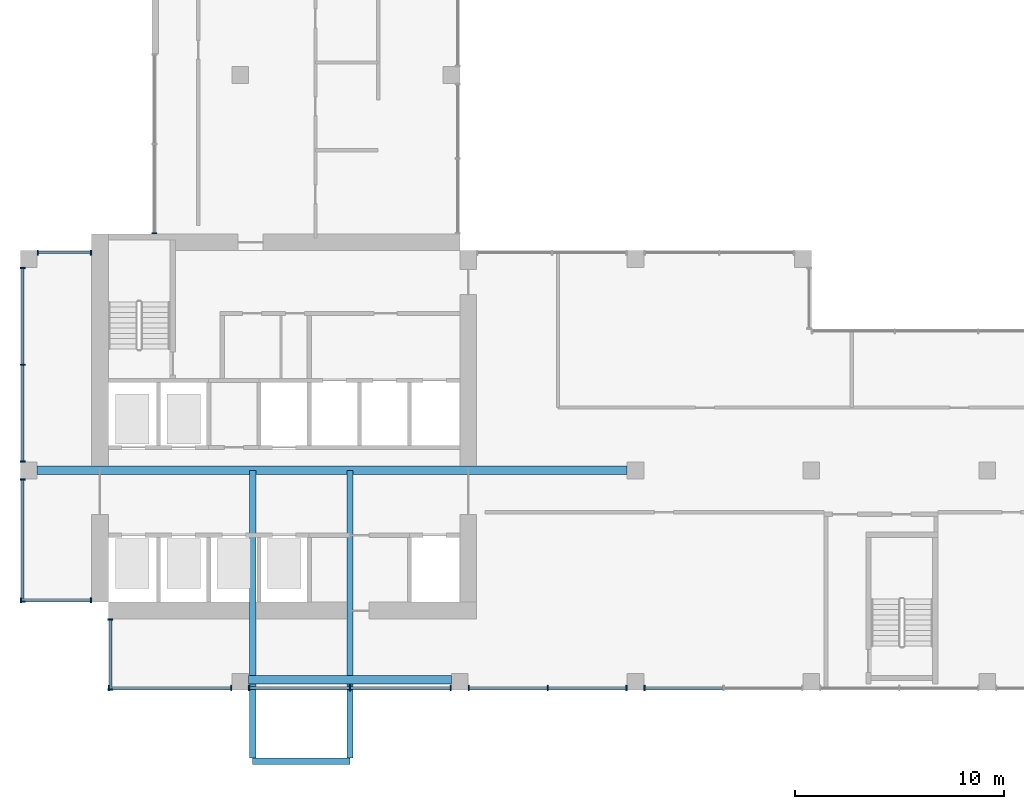
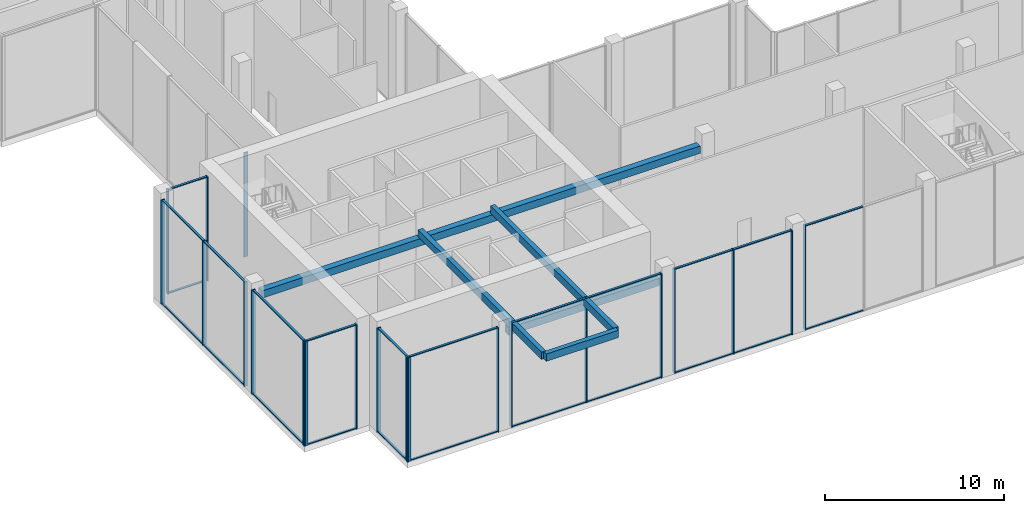
# One storey, part 2 of 13: 45 members, 5 beams, 10 elements without a shape of their own.
"""IFC4 building model written with IfcOpenShell, lengths in metres."""

from ifc_helpers import new_model, si_unit, direction, frame, origin, origin_2d, place, context, subcontext, project, spatial, rectangle, extrude, source, transform, mapped, material, layer, layer_set, material_profile, profile_set, type_object, element, aggregate, save


model = new_model("IFC4")

# Units and contexts
model_context = context("Model", 3, precision=1e-05, world=origin(), true_north=direction((0.0, 1.0)))
body_context = subcontext(model_context, "Body", "Model", "MODEL_VIEW")
ifc_project = project(units=[si_unit("LENGTHUNIT", "METRE"), si_unit("AREAUNIT", "SQUARE_METRE"), si_unit("VOLUMEUNIT", "CUBIC_METRE"), si_unit("PLANEANGLEUNIT", "RADIAN"), si_unit("MASSUNIT", "GRAM", prefix="KILO")], contexts=[model_context])

# Site, building, storey
site_placement = place(None, origin())
site = spatial("IfcSite", under=ifc_project, at=site_placement, CompositionType="ELEMENT")
building_placement = place(site_placement, origin())
building = spatial("IfcBuilding", under=site, at=building_placement, Name="Aurelian Terraces", CompositionType="ELEMENT")
storey_placement = place(building_placement, frame((0.0, 0.0, 277.0)))
storey = spatial("IfcBuildingStorey", under=building, at=storey_placement, Name="L63", CompositionType="ELEMENT", Elevation=277.0)

# Curtain wall, member
ifc_material_1 = material(Name="Anodised aluminium and clear glazing", Category="aluminium")
ifc_layer = layer(ifc_material_1, 0.2)
ifc_layer_set = layer_set([ifc_layer], Name="Lobby glazing curtain wall")
curtain_wall_type = type_object("IfcCurtainWallType", Name="Lobby glazing curtain wall", PredefinedType="NOTDEFINED", material=ifc_layer_set)
curtain_wall_1_placement = place(storey_placement, origin())
curtain_wall_1 = element("IfcCurtainWall", 1, at=curtain_wall_1_placement, inside=storey, type_object=curtain_wall_type, Name="Lobby glazing L63 F01.1", PredefinedType="NOTDEFINED")
ifc_material_2 = material(Name="Anodised aluminium", Category="aluminium")
ifc_material_profile_1 = material_profile(ifc_material_2, rectangle(XDim=0.14, YDim=0.06, at=origin_2d()))
ifc_profile_set_1 = profile_set([ifc_material_profile_1], Name="Anodised aluminium")
member_type_1 = type_object("IfcMemberType", Name="Lobby glazing transom", PredefinedType="USERDEFINED", material=ifc_profile_set_1)
member_1_placement = place(storey_placement, frame((4.26, 0.1, 0.03), z_axis=(1.0, 0.0, 0.0), x_axis=(0.0, 1.0, 0.0)))
member_1 = element("IfcMember", 2, at=member_1_placement, type_object=member_type_1, Name="CW2 transom 1.1", ObjectType="TRANSOM", PredefinedType="USERDEFINED", context=body_context, shape_type="SweptSolid", body=[
    extrude(rectangle(XDim=0.14, YDim=0.06, at=origin_2d()), origin(), (0.0, 0.0, 1.0), 5.78),
])

curtain_wall_2_placement = place(storey_placement, origin())
curtain_wall_2 = element("IfcCurtainWall", 3, at=curtain_wall_2_placement, inside=storey, type_object=curtain_wall_type, Name="Lobby glazing L63 F01.2", PredefinedType="NOTDEFINED")
member_2_placement = place(storey_placement, frame((10.96, 0.1, 0.03), z_axis=(1.0, 0.0, 0.0), x_axis=(0.0, 1.0, 0.0)))
member_2 = element("IfcMember", 4, at=member_2_placement, type_object=member_type_1, Name="CW2 transom 1.1", ObjectType="TRANSOM", PredefinedType="USERDEFINED", context=body_context, shape_type="SweptSolid", body=[
    extrude(rectangle(XDim=0.14, YDim=0.06, at=origin_2d()), origin(), (0.0, 0.0, 1.0), 4.76),
])

curtain_wall_3_placement = place(storey_placement, origin())
curtain_wall_3 = element("IfcCurtainWall", 5, at=curtain_wall_3_placement, inside=storey, type_object=curtain_wall_type, Name="Lobby glazing L63 F01.3", PredefinedType="NOTDEFINED")
member_3_placement = place(storey_placement, frame((21.46, 0.1, 0.03), z_axis=(1.0, 0.0, 0.0), x_axis=(0.0, 1.0, 0.0)))
member_3 = element("IfcMember", 6, at=member_3_placement, type_object=member_type_1, Name="CW2 transom 1.1", ObjectType="TRANSOM", PredefinedType="USERDEFINED", context=body_context, shape_type="SweptSolid", body=[
    extrude(rectangle(XDim=0.14, YDim=0.06, at=origin_2d()), origin(), (0.0, 0.0, 1.0), 3.71),
])

curtain_wall_4_placement = place(storey_placement, origin())
curtain_wall_4 = element("IfcCurtainWall", 7, at=curtain_wall_4_placement, inside=storey, type_object=curtain_wall_type, Name="Lobby glazing L63 F19.1", PredefinedType="NOTDEFINED")
member_4_placement = place(storey_placement, frame((3.34, 20.9, 0.03), z_axis=(-1.0, 0.0, 0.0), x_axis=(0.0, -1.0, 0.0)))
member_4 = element("IfcMember", 8, at=member_4_placement, type_object=member_type_1, Name="CW2 transom 1.1", ObjectType="TRANSOM", PredefinedType="USERDEFINED", context=body_context, shape_type="SweptSolid", body=[
    extrude(rectangle(XDim=0.14, YDim=0.06, at=origin_2d()), origin(), (0.0, 0.0, 1.0), 2.48),
])

curtain_wall_5_placement = place(storey_placement, origin())
curtain_wall_5 = element("IfcCurtainWall", 9, at=curtain_wall_5_placement, inside=storey, type_object=curtain_wall_type, Name="Lobby glazing L63 F20.1", PredefinedType="NOTDEFINED")
member_5_placement = place(storey_placement, frame((0.1, 20.14, 0.03), z_axis=(0.0, -1.0, 0.0), x_axis=(1.0, 0.0, 0.0)))
member_5 = element("IfcMember", 10, at=member_5_placement, type_object=member_type_1, Name="CW2 transom 1.1", ObjectType="TRANSOM", PredefinedType="USERDEFINED", context=body_context, shape_type="SweptSolid", body=[
    extrude(rectangle(XDim=0.14, YDim=0.06, at=origin_2d()), origin(), (0.0, 0.0, 1.0), 4.56),
])

curtain_wall_6_placement = place(storey_placement, origin())
curtain_wall_6 = element("IfcCurtainWall", 11, at=curtain_wall_6_placement, inside=storey, type_object=curtain_wall_type, Name="Lobby glazing L63 F21.1", PredefinedType="NOTDEFINED")
member_6_placement = place(storey_placement, frame((0.06, 4.3, 0.03), z_axis=(1.0, 0.0, 0.0), x_axis=(0.0, 1.0, 0.0)))
member_6 = element("IfcMember", 12, at=member_6_placement, type_object=member_type_1, Name="CW2 transom 1.1", ObjectType="TRANSOM", PredefinedType="USERDEFINED", context=body_context, shape_type="SweptSolid", body=[
    extrude(rectangle(XDim=0.14, YDim=0.06, at=origin_2d()), origin(), (0.0, 0.0, 1.0), 3.28),
])

# Beams
ifc_material_3 = material(Name="Concrete fc' 40 MPa", Category="concrete")
ifc_material_profile_2 = material_profile(ifc_material_3, rectangle(XDim=0.3, YDim=0.5, at=origin_2d()))
ifc_profile_set_2 = profile_set([ifc_material_profile_2], Name="Concrete fc' 40 MPa")
beam_type_1 = type_object("IfcBeamType", Name="CONCRETE CANTILEVER BEAM 300X500", PredefinedType="BEAM", material=ifc_profile_set_2)
shared_shape_1 = source(origin(), body_context, "Body", "SweptSolid", [
    extrude(rectangle(XDim=0.3, YDim=0.5, at=origin_2d()), origin(), (0.0, 0.0, 1.0), 13.75),
])
for number, where, z_axis, x_axis, name in (
    (13, (11.1, -3.25, 6.85), (0.0, 1.0, 0.0), (-1.0, 0.0, 0.0), "Box cantilever beam J88.1"),
    (14, (15.75, -3.25, 6.85), (0.0, 1.0, 0.0), (-1.0, 0.0, 0.0), "Box cantilever beam J88.2"),
):
    element("IfcBeam", number, at=place(storey_placement, frame(where, z_axis=z_axis, x_axis=x_axis)), inside=storey, type_object=beam_type_1, Name=name, PredefinedType="BEAM", context=body_context, shape_type="MappedRepresentation", body=[
        mapped(shared_shape_1, transform((0.0, 0.0, 0.0), scale=1.0)),
    ])
ifc_material_profile_3 = material_profile(ifc_material_3, rectangle(XDim=0.4, YDim=0.5, at=origin_2d()))
ifc_profile_set_3 = profile_set([ifc_material_profile_3], Name="Concrete fc' 40 MPa")
beam_type_2 = type_object("IfcBeamType", Name="CONCRETE EDGE GIRDER 400X500", PredefinedType="BEAM", material=ifc_profile_set_3)
shared_shape_2 = source(origin(), body_context, "Body", "SweptSolid", [
    extrude(rectangle(XDim=0.4, YDim=0.5, at=origin_2d()), origin(), (0.0, 0.0, 1.0), 9.7),
])
beam_1_placement = place(storey_placement, frame((10.9, 0.5, 6.35), z_axis=(1.0, 0.0, 0.0), x_axis=(0.0, 1.0, 0.0)))
element("IfcBeam", 15, at=beam_1_placement, inside=storey, type_object=beam_type_2, Name="Box girder L63 O171", PredefinedType="BEAM", context=body_context, shape_type="MappedRepresentation", body=[
    mapped(shared_shape_2, transform((0.0, 0.0, 0.0), scale=1.0)),
])
shared_shape_3 = source(origin(), body_context, "Body", "SweptSolid", [
    extrude(rectangle(XDim=0.4, YDim=0.5, at=origin_2d()), origin(), (0.0, 0.0, 1.0), 28.2),
])
beam_2_placement = place(storey_placement, frame((0.8, 10.5, 6.35), z_axis=(1.0, 0.0, 0.0), x_axis=(0.0, 1.0, 0.0)))
element("IfcBeam", 16, at=beam_2_placement, inside=storey, type_object=beam_type_2, Name="Box girder L63 I172", PredefinedType="BEAM", context=body_context, shape_type="MappedRepresentation", body=[
    mapped(shared_shape_3, transform((0.0, 0.0, 0.0), scale=1.0)),
])
shared_shape_4 = source(origin(), body_context, "Body", "SweptSolid", [
    extrude(rectangle(XDim=0.3, YDim=0.5, at=origin_2d()), origin(), (0.0, 0.0, 1.0), 4.65),
])
beam_3_placement = place(storey_placement, frame((11.1, -3.4, 6.85), z_axis=(1.0, 0.0, 0.0), x_axis=(0.0, 1.0, 0.0)))
element("IfcBeam", 17, at=beam_3_placement, inside=storey, type_object=beam_type_1, Name="Box tip beam J88", PredefinedType="BEAM", context=body_context, shape_type="MappedRepresentation", body=[
    mapped(shared_shape_4, transform((0.0, 0.0, 0.0), scale=1.0)),
])

# Member
ifc_material_profile_4 = material_profile(ifc_material_2, rectangle(XDim=0.24, YDim=0.06, at=origin_2d()))
ifc_profile_set_4 = profile_set([ifc_material_profile_4], Name="Anodised aluminium")
member_type_2 = type_object("IfcMemberType", Name="Lobby glazing mullion", PredefinedType="MULLION", material=ifc_profile_set_4)
shared_shape_5 = source(origin(), body_context, "Body", "SweptSolid", [
    extrude(rectangle(XDim=0.24, YDim=0.06, at=origin_2d()), origin(), (0.0, 0.0, 1.0), 7.1),
])
member_7_placement = place(storey_placement, frame((4.23, 0.1, 0.0), z_axis=(0.0, 0.0, 1.0), x_axis=(0.0, 1.0, 0.0)))
member_7 = element("IfcMember", 18, at=member_7_placement, type_object=member_type_2, Name="CW2 mullion 1", PredefinedType="MULLION", context=body_context, shape_type="MappedRepresentation", body=[
    mapped(shared_shape_5, transform((0.0, 0.0, 0.0), scale=1.0)),
])

member_8_placement = place(storey_placement, frame((10.07, 0.1, 0.0), z_axis=(0.0, 0.0, 1.0), x_axis=(0.0, 1.0, 0.0)))
member_8 = element("IfcMember", 19, at=member_8_placement, type_object=member_type_2, Name="CW2 mullion 2", PredefinedType="MULLION", context=body_context, shape_type="MappedRepresentation", body=[
    mapped(shared_shape_5, transform((0.0, 0.0, 0.0), scale=1.0)),
])

member_9_placement = place(storey_placement, frame((10.93, 0.1, 0.0), z_axis=(0.0, 0.0, 1.0), x_axis=(0.0, 1.0, 0.0)))
member_9 = element("IfcMember", 20, at=member_9_placement, type_object=member_type_2, Name="CW2 mullion 1", PredefinedType="MULLION", context=body_context, shape_type="MappedRepresentation", body=[
    mapped(shared_shape_5, transform((0.0, 0.0, 0.0), scale=1.0)),
])

member_10_placement = place(storey_placement, frame((15.75, 0.1, 0.0), z_axis=(0.0, 0.0, 1.0), x_axis=(0.0, 1.0, 0.0)))
member_10 = element("IfcMember", 21, at=member_10_placement, type_object=member_type_2, Name="CW2 mullion 2", PredefinedType="MULLION", context=body_context, shape_type="MappedRepresentation", body=[
    mapped(shared_shape_5, transform((0.0, 0.0, 0.0), scale=1.0)),
])

member_11_placement = place(storey_placement, frame((20.57, 0.1, 0.0), z_axis=(0.0, 0.0, 1.0), x_axis=(0.0, 1.0, 0.0)))
member_11 = element("IfcMember", 22, at=member_11_placement, type_object=member_type_2, Name="CW2 mullion 3", PredefinedType="MULLION", context=body_context, shape_type="MappedRepresentation", body=[
    mapped(shared_shape_5, transform((0.0, 0.0, 0.0), scale=1.0)),
])

member_12_placement = place(storey_placement, frame((21.43, 0.1, 0.0), z_axis=(0.0, 0.0, 1.0), x_axis=(0.0, 1.0, 0.0)))
member_12 = element("IfcMember", 23, at=member_12_placement, type_object=member_type_2, Name="CW2 mullion 1", PredefinedType="MULLION", context=body_context, shape_type="MappedRepresentation", body=[
    mapped(shared_shape_5, transform((0.0, 0.0, 0.0), scale=1.0)),
])

member_13_placement = place(storey_placement, frame((25.2, 0.1, 0.0), z_axis=(0.0, 0.0, 1.0), x_axis=(0.0, 1.0, 0.0)))
member_13 = element("IfcMember", 24, at=member_13_placement, type_object=member_type_2, Name="CW2 mullion 2", PredefinedType="MULLION", context=body_context, shape_type="MappedRepresentation", body=[
    mapped(shared_shape_5, transform((0.0, 0.0, 0.0), scale=1.0)),
])

member_14_placement = place(storey_placement, frame((28.97, 0.1, 0.0), z_axis=(0.0, 0.0, 1.0), x_axis=(0.0, 1.0, 0.0)))
member_14 = element("IfcMember", 25, at=member_14_placement, type_object=member_type_2, Name="CW2 mullion 3", PredefinedType="MULLION", context=body_context, shape_type="MappedRepresentation", body=[
    mapped(shared_shape_5, transform((0.0, 0.0, 0.0), scale=1.0)),
])

# Curtain wall, member
curtain_wall_7_placement = place(storey_placement, origin())
curtain_wall_7 = element("IfcCurtainWall", 26, at=curtain_wall_7_placement, inside=storey, type_object=curtain_wall_type, Name="Lobby glazing L63 F01.4", PredefinedType="NOTDEFINED")
member_15_placement = place(storey_placement, frame((29.83, 0.1, 0.0), z_axis=(0.0, 0.0, 1.0), x_axis=(0.0, 1.0, 0.0)))
member_15 = element("IfcMember", 27, at=member_15_placement, type_object=member_type_2, Name="CW2 mullion 1", PredefinedType="MULLION", context=body_context, shape_type="MappedRepresentation", body=[
    mapped(shared_shape_5, transform((0.0, 0.0, 0.0), scale=1.0)),
])

curtain_wall_8_placement = place(storey_placement, origin())
curtain_wall_8 = element("IfcCurtainWall", 28, at=curtain_wall_8_placement, inside=storey, type_object=curtain_wall_type, Name="Lobby glazing L63 F16.3", PredefinedType="NOTDEFINED")
member_16_placement = place(storey_placement, frame((6.4, 21.83, 0.0), z_axis=(0.0, 0.0, 1.0), x_axis=(1.0, 0.0, 0.0)))
member_16 = element("IfcMember", 29, at=member_16_placement, type_object=member_type_2, Name="CW2 mullion 3", PredefinedType="MULLION", context=body_context, shape_type="MappedRepresentation", body=[
    mapped(shared_shape_5, transform((0.0, 0.0, 0.0), scale=1.0)),
])
aggregate(curtain_wall_8, [member_16])

# Member
member_17_placement = place(storey_placement, frame((3.37, 20.9, 0.0), z_axis=(0.0, 0.0, 1.0), x_axis=(0.0, -1.0, 0.0)))
member_17 = element("IfcMember", 30, at=member_17_placement, type_object=member_type_2, Name="CW2 mullion 1", PredefinedType="MULLION", context=body_context, shape_type="MappedRepresentation", body=[
    mapped(shared_shape_5, transform((0.0, 0.0, 0.0), scale=1.0)),
])

member_18_placement = place(storey_placement, frame((0.83, 20.9, 0.0), z_axis=(0.0, 0.0, 1.0), x_axis=(0.0, -1.0, 0.0)))
member_18 = element("IfcMember", 31, at=member_18_placement, type_object=member_type_2, Name="CW2 mullion 2", PredefinedType="MULLION", context=body_context, shape_type="MappedRepresentation", body=[
    mapped(shared_shape_5, transform((0.0, 0.0, 0.0), scale=1.0)),
])

member_19_placement = place(storey_placement, frame((0.1, 20.17, 0.0), z_axis=(0.0, 0.0, 1.0), x_axis=(1.0, 0.0, 0.0)))
member_19 = element("IfcMember", 32, at=member_19_placement, type_object=member_type_2, Name="CW2 mullion 1", PredefinedType="MULLION", context=body_context, shape_type="MappedRepresentation", body=[
    mapped(shared_shape_5, transform((0.0, 0.0, 0.0), scale=1.0)),
])

member_20_placement = place(storey_placement, frame((0.1, 15.55, 0.0), z_axis=(0.0, 0.0, 1.0), x_axis=(1.0, 0.0, 0.0)))
member_20 = element("IfcMember", 33, at=member_20_placement, type_object=member_type_2, Name="CW2 mullion 2", PredefinedType="MULLION", context=body_context, shape_type="MappedRepresentation", body=[
    mapped(shared_shape_5, transform((0.0, 0.0, 0.0), scale=1.0)),
])

member_21_placement = place(storey_placement, frame((0.1, 10.93, 0.0), z_axis=(0.0, 0.0, 1.0), x_axis=(1.0, 0.0, 0.0)))
member_21 = element("IfcMember", 34, at=member_21_placement, type_object=member_type_2, Name="CW2 mullion 3", PredefinedType="MULLION", context=body_context, shape_type="MappedRepresentation", body=[
    mapped(shared_shape_5, transform((0.0, 0.0, 0.0), scale=1.0)),
])

# Curtain wall, members
curtain_wall_9_placement = place(storey_placement, origin())
curtain_wall_9 = element("IfcCurtainWall", 35, at=curtain_wall_9_placement, inside=storey, type_object=curtain_wall_type, Name="Lobby glazing L63 F20.2", PredefinedType="NOTDEFINED")
member_22_placement = place(storey_placement, frame((0.1, 10.07, 0.0), z_axis=(0.0, 0.0, 1.0), x_axis=(1.0, 0.0, 0.0)))
member_22 = element("IfcMember", 36, at=member_22_placement, type_object=member_type_2, Name="CW2 mullion 1", PredefinedType="MULLION", context=body_context, shape_type="MappedRepresentation", body=[
    mapped(shared_shape_5, transform((0.0, 0.0, 0.0), scale=1.0)),
])
member_23_placement = place(storey_placement, frame((0.1, 4.23, 0.0), z_axis=(0.0, 0.0, 1.0), x_axis=(1.0, 0.0, 0.0)))
member_23 = element("IfcMember", 37, at=member_23_placement, type_object=member_type_2, Name="CW2 mullion 2", PredefinedType="MULLION", context=body_context, shape_type="MappedRepresentation", body=[
    mapped(shared_shape_5, transform((0.0, 0.0, 0.0), scale=1.0)),
])

# Member
member_24_placement = place(storey_placement, frame((0.03, 4.3, 0.0), z_axis=(0.0, 0.0, 1.0), x_axis=(0.0, 1.0, 0.0)))
member_24 = element("IfcMember", 38, at=member_24_placement, type_object=member_type_2, Name="CW2 mullion 1", PredefinedType="MULLION", context=body_context, shape_type="MappedRepresentation", body=[
    mapped(shared_shape_5, transform((0.0, 0.0, 0.0), scale=1.0)),
])

member_25_placement = place(storey_placement, frame((3.37, 4.3, 0.0), z_axis=(0.0, 0.0, 1.0), x_axis=(0.0, 1.0, 0.0)))
member_25 = element("IfcMember", 39, at=member_25_placement, type_object=member_type_2, Name="CW2 mullion 2", PredefinedType="MULLION", context=body_context, shape_type="MappedRepresentation", body=[
    mapped(shared_shape_5, transform((0.0, 0.0, 0.0), scale=1.0)),
])

# Curtain wall, members
curtain_wall_10_placement = place(storey_placement, origin())
curtain_wall_10 = element("IfcCurtainWall", 40, at=curtain_wall_10_placement, inside=storey, type_object=curtain_wall_type, Name="Lobby glazing L63 F22.1", PredefinedType="NOTDEFINED")
member_26_placement = place(storey_placement, frame((4.3, 3.37, 0.0), z_axis=(0.0, 0.0, 1.0), x_axis=(1.0, 0.0, 0.0)))
member_26 = element("IfcMember", 41, at=member_26_placement, type_object=member_type_2, Name="CW2 mullion 1", PredefinedType="MULLION", context=body_context, shape_type="MappedRepresentation", body=[
    mapped(shared_shape_5, transform((0.0, 0.0, 0.0), scale=1.0)),
])
member_27_placement = place(storey_placement, frame((4.3, 0.03, 0.0), z_axis=(0.0, 0.0, 1.0), x_axis=(1.0, 0.0, 0.0)))
member_27 = element("IfcMember", 42, at=member_27_placement, type_object=member_type_2, Name="CW2 mullion 2", PredefinedType="MULLION", context=body_context, shape_type="MappedRepresentation", body=[
    mapped(shared_shape_5, transform((0.0, 0.0, 0.0), scale=1.0)),
])

# Member
shared_shape_6 = source(origin(), body_context, "Body", "SweptSolid", [
    extrude(rectangle(XDim=0.14, YDim=0.06, at=origin_2d()), origin(), (0.0, 0.0, 1.0), 5.78),
])
member_28_placement = place(storey_placement, frame((4.26, 0.1, 7.07), z_axis=(1.0, 0.0, 0.0), x_axis=(0.0, 1.0, 0.0)))
member_28 = element("IfcMember", 43, at=member_28_placement, type_object=member_type_1, Name="CW2 transom 1.2", ObjectType="TRANSOM", PredefinedType="USERDEFINED", context=body_context, shape_type="MappedRepresentation", body=[
    mapped(shared_shape_6, transform((0.0, 0.0, 0.0), scale=1.0)),
])

aggregate(curtain_wall_1, [member_7, member_8, member_1, member_28])

member_29_placement = place(storey_placement, frame((0.1, 10.04, 0.03), z_axis=(0.0, -1.0, 0.0), x_axis=(1.0, 0.0, 0.0)))
member_29 = element("IfcMember", 44, at=member_29_placement, type_object=member_type_1, Name="CW2 transom 1.1", ObjectType="TRANSOM", PredefinedType="USERDEFINED", context=body_context, shape_type="MappedRepresentation", body=[
    mapped(shared_shape_6, transform((0.0, 0.0, 0.0), scale=1.0)),
])

member_30_placement = place(storey_placement, frame((0.1, 10.04, 7.07), z_axis=(0.0, -1.0, 0.0), x_axis=(1.0, 0.0, 0.0)))
member_30 = element("IfcMember", 45, at=member_30_placement, type_object=member_type_1, Name="CW2 transom 1.2", ObjectType="TRANSOM", PredefinedType="USERDEFINED", context=body_context, shape_type="MappedRepresentation", body=[
    mapped(shared_shape_6, transform((0.0, 0.0, 0.0), scale=1.0)),
])

aggregate(curtain_wall_9, [member_22, member_23, member_29, member_30])

shared_shape_7 = source(origin(), body_context, "Body", "SweptSolid", [
    extrude(rectangle(XDim=0.14, YDim=0.06, at=origin_2d()), origin(), (0.0, 0.0, 1.0), 4.76),
])
member_31_placement = place(storey_placement, frame((10.96, 0.1, 7.07), z_axis=(1.0, 0.0, 0.0), x_axis=(0.0, 1.0, 0.0)))
member_31 = element("IfcMember", 46, at=member_31_placement, type_object=member_type_1, Name="CW2 transom 1.2", ObjectType="TRANSOM", PredefinedType="USERDEFINED", context=body_context, shape_type="MappedRepresentation", body=[
    mapped(shared_shape_7, transform((0.0, 0.0, 0.0), scale=1.0)),
])

member_32_placement = place(storey_placement, frame((15.78, 0.1, 0.03), z_axis=(1.0, 0.0, 0.0), x_axis=(0.0, 1.0, 0.0)))
member_32 = element("IfcMember", 47, at=member_32_placement, type_object=member_type_1, Name="CW2 transom 2.1", ObjectType="TRANSOM", PredefinedType="USERDEFINED", context=body_context, shape_type="MappedRepresentation", body=[
    mapped(shared_shape_7, transform((0.0, 0.0, 0.0), scale=1.0)),
])

member_33_placement = place(storey_placement, frame((15.78, 0.1, 7.07), z_axis=(1.0, 0.0, 0.0), x_axis=(0.0, 1.0, 0.0)))
member_33 = element("IfcMember", 48, at=member_33_placement, type_object=member_type_1, Name="CW2 transom 2.2", ObjectType="TRANSOM", PredefinedType="USERDEFINED", context=body_context, shape_type="MappedRepresentation", body=[
    mapped(shared_shape_7, transform((0.0, 0.0, 0.0), scale=1.0)),
])

aggregate(curtain_wall_2, [member_9, member_10, member_11, member_2, member_31, member_32, member_33])

shared_shape_8 = source(origin(), body_context, "Body", "SweptSolid", [
    extrude(rectangle(XDim=0.14, YDim=0.06, at=origin_2d()), origin(), (0.0, 0.0, 1.0), 3.71),
])
member_34_placement = place(storey_placement, frame((21.46, 0.1, 7.07), z_axis=(1.0, 0.0, 0.0), x_axis=(0.0, 1.0, 0.0)))
member_34 = element("IfcMember", 49, at=member_34_placement, type_object=member_type_1, Name="CW2 transom 1.2", ObjectType="TRANSOM", PredefinedType="USERDEFINED", context=body_context, shape_type="MappedRepresentation", body=[
    mapped(shared_shape_8, transform((0.0, 0.0, 0.0), scale=1.0)),
])

member_35_placement = place(storey_placement, frame((25.23, 0.1, 0.03), z_axis=(1.0, 0.0, 0.0), x_axis=(0.0, 1.0, 0.0)))
member_35 = element("IfcMember", 50, at=member_35_placement, type_object=member_type_1, Name="CW2 transom 2.1", ObjectType="TRANSOM", PredefinedType="USERDEFINED", context=body_context, shape_type="MappedRepresentation", body=[
    mapped(shared_shape_8, transform((0.0, 0.0, 0.0), scale=1.0)),
])

member_36_placement = place(storey_placement, frame((25.23, 0.1, 7.07), z_axis=(1.0, 0.0, 0.0), x_axis=(0.0, 1.0, 0.0)))
member_36 = element("IfcMember", 51, at=member_36_placement, type_object=member_type_1, Name="CW2 transom 2.2", ObjectType="TRANSOM", PredefinedType="USERDEFINED", context=body_context, shape_type="MappedRepresentation", body=[
    mapped(shared_shape_8, transform((0.0, 0.0, 0.0), scale=1.0)),
])

aggregate(curtain_wall_3, [member_12, member_13, member_14, member_3, member_34, member_35, member_36])

member_37_placement = place(storey_placement, frame((29.86, 0.1, 0.03), z_axis=(1.0, 0.0, 0.0), x_axis=(0.0, 1.0, 0.0)))
member_37 = element("IfcMember", 52, at=member_37_placement, type_object=member_type_1, Name="CW2 transom 1.1", ObjectType="TRANSOM", PredefinedType="USERDEFINED", context=body_context, shape_type="MappedRepresentation", body=[
    mapped(shared_shape_8, transform((0.0, 0.0, 0.0), scale=1.0)),
])

member_38_placement = place(storey_placement, frame((29.86, 0.1, 7.07), z_axis=(1.0, 0.0, 0.0), x_axis=(0.0, 1.0, 0.0)))
member_38 = element("IfcMember", 53, at=member_38_placement, type_object=member_type_1, Name="CW2 transom 1.2", ObjectType="TRANSOM", PredefinedType="USERDEFINED", context=body_context, shape_type="MappedRepresentation", body=[
    mapped(shared_shape_8, transform((0.0, 0.0, 0.0), scale=1.0)),
])

aggregate(curtain_wall_7, [member_15, member_37, member_38])

shared_shape_9 = source(origin(), body_context, "Body", "SweptSolid", [
    extrude(rectangle(XDim=0.14, YDim=0.06, at=origin_2d()), origin(), (0.0, 0.0, 1.0), 2.48),
])
member_39_placement = place(storey_placement, frame((3.34, 20.9, 7.07), z_axis=(-1.0, 0.0, 0.0), x_axis=(0.0, -1.0, 0.0)))
member_39 = element("IfcMember", 54, at=member_39_placement, type_object=member_type_1, Name="CW2 transom 1.2", ObjectType="TRANSOM", PredefinedType="USERDEFINED", context=body_context, shape_type="MappedRepresentation", body=[
    mapped(shared_shape_9, transform((0.0, 0.0, 0.0), scale=1.0)),
])

aggregate(curtain_wall_4, [member_17, member_18, member_4, member_39])

shared_shape_10 = source(origin(), body_context, "Body", "SweptSolid", [
    extrude(rectangle(XDim=0.14, YDim=0.06, at=origin_2d()), origin(), (0.0, 0.0, 1.0), 4.56),
])
member_40_placement = place(storey_placement, frame((0.1, 20.14, 7.07), z_axis=(0.0, -1.0, 0.0), x_axis=(1.0, 0.0, 0.0)))
member_40 = element("IfcMember", 55, at=member_40_placement, type_object=member_type_1, Name="CW2 transom 1.2", ObjectType="TRANSOM", PredefinedType="USERDEFINED", context=body_context, shape_type="MappedRepresentation", body=[
    mapped(shared_shape_10, transform((0.0, 0.0, 0.0), scale=1.0)),
])

member_41_placement = place(storey_placement, frame((0.1, 15.52, 0.03), z_axis=(0.0, -1.0, 0.0), x_axis=(1.0, 0.0, 0.0)))
member_41 = element("IfcMember", 56, at=member_41_placement, type_object=member_type_1, Name="CW2 transom 2.1", ObjectType="TRANSOM", PredefinedType="USERDEFINED", context=body_context, shape_type="MappedRepresentation", body=[
    mapped(shared_shape_10, transform((0.0, 0.0, 0.0), scale=1.0)),
])

member_42_placement = place(storey_placement, frame((0.1, 15.52, 7.07), z_axis=(0.0, -1.0, 0.0), x_axis=(1.0, 0.0, 0.0)))
member_42 = element("IfcMember", 57, at=member_42_placement, type_object=member_type_1, Name="CW2 transom 2.2", ObjectType="TRANSOM", PredefinedType="USERDEFINED", context=body_context, shape_type="MappedRepresentation", body=[
    mapped(shared_shape_10, transform((0.0, 0.0, 0.0), scale=1.0)),
])

aggregate(curtain_wall_5, [member_19, member_20, member_21, member_5, member_40, member_41, member_42])

shared_shape_11 = source(origin(), body_context, "Body", "SweptSolid", [
    extrude(rectangle(XDim=0.14, YDim=0.06, at=origin_2d()), origin(), (0.0, 0.0, 1.0), 3.28),
])
member_43_placement = place(storey_placement, frame((0.06, 4.3, 7.07), z_axis=(1.0, 0.0, 0.0), x_axis=(0.0, 1.0, 0.0)))
member_43 = element("IfcMember", 58, at=member_43_placement, type_object=member_type_1, Name="CW2 transom 1.2", ObjectType="TRANSOM", PredefinedType="USERDEFINED", context=body_context, shape_type="MappedRepresentation", body=[
    mapped(shared_shape_11, transform((0.0, 0.0, 0.0), scale=1.0)),
])

aggregate(curtain_wall_6, [member_24, member_25, member_6, member_43])

member_44_placement = place(storey_placement, frame((4.3, 3.34, 0.03), z_axis=(0.0, -1.0, 0.0), x_axis=(1.0, 0.0, 0.0)))
member_44 = element("IfcMember", 59, at=member_44_placement, type_object=member_type_1, Name="CW2 transom 1.1", ObjectType="TRANSOM", PredefinedType="USERDEFINED", context=body_context, shape_type="MappedRepresentation", body=[
    mapped(shared_shape_11, transform((0.0, 0.0, 0.0), scale=1.0)),
])

member_45_placement = place(storey_placement, frame((4.3, 3.34, 7.07), z_axis=(0.0, -1.0, 0.0), x_axis=(1.0, 0.0, 0.0)))
member_45 = element("IfcMember", 60, at=member_45_placement, type_object=member_type_1, Name="CW2 transom 1.2", ObjectType="TRANSOM", PredefinedType="USERDEFINED", context=body_context, shape_type="MappedRepresentation", body=[
    mapped(shared_shape_11, transform((0.0, 0.0, 0.0), scale=1.0)),
])

aggregate(curtain_wall_10, [member_26, member_27, member_44, member_45])

save(model, "model.ifc")
